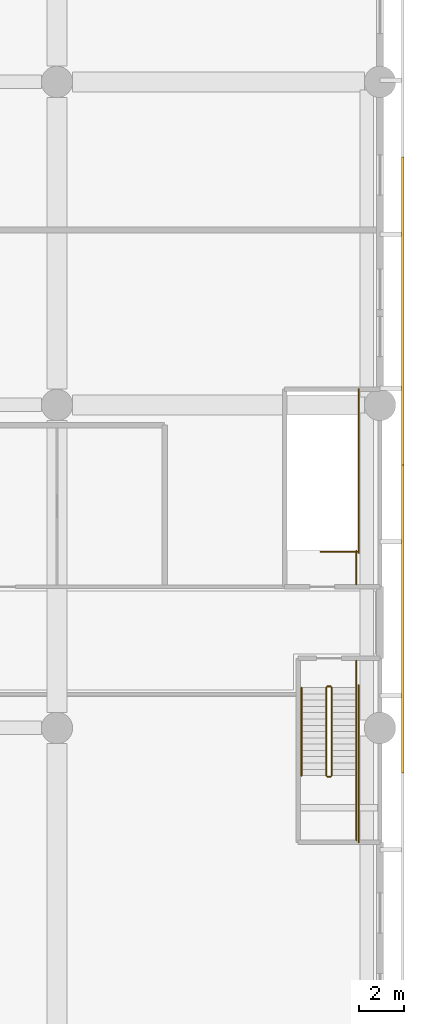
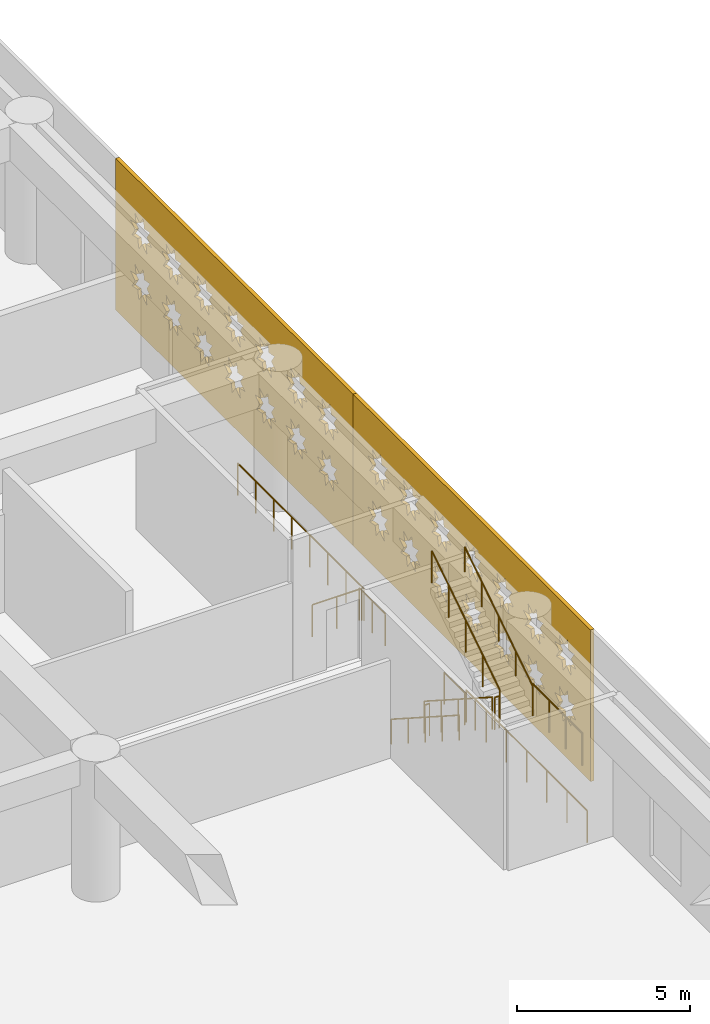
# One storey, part 20 of 24: 12 railings, 2 coverings.
"""IFC4 building model written with IfcOpenShell, lengths in metres."""

from ifc_helpers import new_model, si_unit, direction, frame, origin, origin_2d, place, context, subcontext, project, spatial, polyline, circle, outline, extrude, material, layer, layer_set, type_object, element, save


model = new_model("IFC4")

# Units and contexts
model_context = context("Model", 3, precision=1e-05, world=origin(), true_north=direction((0.0, 1.0)))
body_context = subcontext(model_context, "Body", "Model", "MODEL_VIEW")
ifc_project = project(units=[si_unit("LENGTHUNIT", "METRE"), si_unit("AREAUNIT", "SQUARE_METRE"), si_unit("VOLUMEUNIT", "CUBIC_METRE"), si_unit("PLANEANGLEUNIT", "RADIAN"), si_unit("MASSUNIT", "GRAM", prefix="KILO")], contexts=[model_context])

# Site, building, storey
site_placement = place(None, origin())
site = spatial("IfcSite", under=ifc_project, at=site_placement, CompositionType="ELEMENT")
building_placement = place(site_placement, origin())
building = spatial("IfcBuilding", under=site, at=building_placement, Name="Saffron Iwan Residences", CompositionType="ELEMENT")
storey_placement = place(building_placement, frame((0.0, 0.0, 21.60009765625)))
storey = spatial("IfcBuildingStorey", under=building, at=storey_placement, Name="L04", CompositionType="ELEMENT", Elevation=21.60009765625)

# Coverings
ifc_material_1 = material(Name="Terracotta screen, precast concrete C40/50", Category="masonry")
ifc_layer = layer(ifc_material_1, 0.1201171875)
ifc_layer_set = layer_set([ifc_layer], Name="Terracotta screen, precast concrete C40/50")
covering_type = type_object("IfcCoveringType", Name="PODIUM SCREEN GIRIH", PredefinedType="CLADDING", material=ifc_layer_set)
covering_1_placement = place(storey_placement, frame((101.75, 45.998046875, -0.400146484375), z_axis=(1.0, 0.0, 0.0), x_axis=(0.0, 1.0, 0.0)))
element("IfcCovering", 1, at=covering_1_placement, inside=storey, type_object=covering_type, Name="SCREEN girih terracotta L04 F1.2", PredefinedType="CLADDING", context=body_context, shape_type="SweptSolid", body=[
    extrude(outline(polyline([(0.0, 0.0), (13.72412109375, 0.0), (13.72412109375, 5.35009765625), (0.0, 5.35009765625), (0.0, 0.0)]), holes=[polyline([(2.070068359375, 1.89599609375), (1.74462890625, 1.9638671875), (1.806396484375, 2.29052734375), (1.5283203125, 2.1083984375), (1.341064453125, 2.383056640625), (1.273193359375, 2.0576171875), (0.946533203125, 2.119384765625), (1.12841796875, 1.84130859375), (0.85400390625, 1.654052734375), (1.17919921875, 1.586181640625), (1.117431640625, 1.259521484375), (1.395751953125, 1.44140625), (1.5830078125, 1.1669921875), (1.65087890625, 1.4921875), (1.9775390625, 1.430419921875), (1.79541015625, 1.708740234375), (2.070068359375, 1.89599609375)]), polyline([(2.070068359375, 3.696044921875), (1.74462890625, 3.763916015625), (1.806396484375, 4.090576171875), (1.5283203125, 3.908447265625), (1.341064453125, 4.18310546875), (1.273193359375, 3.857666015625), (0.946533203125, 3.91943359375), (1.12841796875, 3.641357421875), (0.85400390625, 3.4541015625), (1.17919921875, 3.385986328125), (1.117431640625, 3.0595703125), (1.395751953125, 3.241455078125), (1.5830078125, 2.966796875), (1.65087890625, 3.292236328125), (1.9775390625, 3.23046875), (1.79541015625, 3.5087890625), (2.070068359375, 3.696044921875)]), polyline([(3.8701171875, 1.89599609375), (3.544677734375, 1.9638671875), (3.6064453125, 2.29052734375), (3.328369140625, 2.1083984375), (3.14111328125, 2.383056640625), (3.072998046875, 2.0576171875), (2.74658203125, 2.119384765625), (2.928466796875, 1.84130859375), (2.65380859375, 1.654052734375), (2.979248046875, 1.586181640625), (2.91748046875, 1.259521484375), (3.19580078125, 1.44140625), (3.383056640625, 1.1669921875), (3.450927734375, 1.4921875), (3.777587890625, 1.430419921875), (3.595458984375, 1.708740234375), (3.8701171875, 1.89599609375)]), polyline([(3.8701171875, 3.696044921875), (3.544677734375, 3.763916015625), (3.6064453125, 4.090576171875), (3.328369140625, 3.908447265625), (3.14111328125, 4.18310546875), (3.072998046875, 3.857666015625), (2.74658203125, 3.91943359375), (2.928466796875, 3.641357421875), (2.65380859375, 3.4541015625), (2.979248046875, 3.385986328125), (2.91748046875, 3.0595703125), (3.19580078125, 3.241455078125), (3.383056640625, 2.966796875), (3.450927734375, 3.292236328125), (3.777587890625, 3.23046875), (3.595458984375, 3.5087890625), (3.8701171875, 3.696044921875)]), polyline([(5.670166015625, 1.89599609375), (5.3447265625, 1.9638671875), (5.406494140625, 2.29052734375), (5.12841796875, 2.1083984375), (4.94091796875, 2.383056640625), (4.873046875, 2.0576171875), (4.54638671875, 2.119384765625), (4.728515625, 1.84130859375), (4.453857421875, 1.654052734375), (4.779296875, 1.586181640625), (4.717529296875, 1.259521484375), (4.99560546875, 1.44140625), (5.18310546875, 1.1669921875), (5.2509765625, 1.4921875), (5.577392578125, 1.430419921875), (5.3955078125, 1.708740234375), (5.670166015625, 1.89599609375)]), polyline([(5.670166015625, 3.696044921875), (5.3447265625, 3.763916015625), (5.406494140625, 4.090576171875), (5.12841796875, 3.908447265625), (4.94091796875, 4.18310546875), (4.873046875, 3.857666015625), (4.54638671875, 3.91943359375), (4.728515625, 3.641357421875), (4.453857421875, 3.4541015625), (4.779296875, 3.385986328125), (4.717529296875, 3.0595703125), (4.99560546875, 3.241455078125), (5.18310546875, 2.966796875), (5.2509765625, 3.292236328125), (5.577392578125, 3.23046875), (5.3955078125, 3.5087890625), (5.670166015625, 3.696044921875)]), polyline([(7.47021484375, 1.89599609375), (7.144775390625, 1.9638671875), (7.20654296875, 2.29052734375), (6.92822265625, 2.1083984375), (6.740966796875, 2.383056640625), (6.673095703125, 2.0576171875), (6.346435546875, 2.119384765625), (6.528564453125, 1.84130859375), (6.25390625, 1.654052734375), (6.579345703125, 1.586181640625), (6.517578125, 1.259521484375), (6.795654296875, 1.44140625), (6.98291015625, 1.1669921875), (7.05078125, 1.4921875), (7.37744140625, 1.430419921875), (7.195556640625, 1.708740234375), (7.47021484375, 1.89599609375)]), polyline([(7.47021484375, 3.696044921875), (7.144775390625, 3.763916015625), (7.20654296875, 4.090576171875), (6.92822265625, 3.908447265625), (6.740966796875, 4.18310546875), (6.673095703125, 3.857666015625), (6.346435546875, 3.91943359375), (6.528564453125, 3.641357421875), (6.25390625, 3.4541015625), (6.579345703125, 3.385986328125), (6.517578125, 3.0595703125), (6.795654296875, 3.241455078125), (6.98291015625, 2.966796875), (7.05078125, 3.292236328125), (7.37744140625, 3.23046875), (7.195556640625, 3.5087890625), (7.47021484375, 3.696044921875)]), polyline([(9.27001953125, 1.89599609375), (8.944580078125, 1.9638671875), (9.006591796875, 2.29052734375), (8.728271484375, 2.1083984375), (8.541015625, 2.383056640625), (8.47314453125, 2.0576171875), (8.146484375, 2.119384765625), (8.32861328125, 1.84130859375), (8.053955078125, 1.654052734375), (8.37939453125, 1.586181640625), (8.3173828125, 1.259521484375), (8.595703125, 1.44140625), (8.782958984375, 1.1669921875), (8.850830078125, 1.4921875), (9.177490234375, 1.430419921875), (8.99560546875, 1.708740234375), (9.27001953125, 1.89599609375)]), polyline([(9.27001953125, 3.696044921875), (8.944580078125, 3.763916015625), (9.006591796875, 4.090576171875), (8.728271484375, 3.908447265625), (8.541015625, 4.18310546875), (8.47314453125, 3.857666015625), (8.146484375, 3.91943359375), (8.32861328125, 3.641357421875), (8.053955078125, 3.4541015625), (8.37939453125, 3.385986328125), (8.3173828125, 3.0595703125), (8.595703125, 3.241455078125), (8.782958984375, 2.966796875), (8.850830078125, 3.292236328125), (9.177490234375, 3.23046875), (8.99560546875, 3.5087890625), (9.27001953125, 3.696044921875)]), polyline([(11.070068359375, 1.89599609375), (10.74462890625, 1.9638671875), (10.806396484375, 2.29052734375), (10.5283203125, 2.1083984375), (10.341064453125, 2.383056640625), (10.273193359375, 2.0576171875), (9.946533203125, 2.119384765625), (10.12841796875, 1.84130859375), (9.85400390625, 1.654052734375), (10.17919921875, 1.586181640625), (10.117431640625, 1.259521484375), (10.395751953125, 1.44140625), (10.5830078125, 1.1669921875), (10.65087890625, 1.4921875), (10.9775390625, 1.430419921875), (10.79541015625, 1.708740234375), (11.070068359375, 1.89599609375)]), polyline([(11.070068359375, 3.696044921875), (10.74462890625, 3.763916015625), (10.806396484375, 4.090576171875), (10.5283203125, 3.908447265625), (10.341064453125, 4.18310546875), (10.273193359375, 3.857666015625), (9.946533203125, 3.91943359375), (10.12841796875, 3.641357421875), (9.85400390625, 3.4541015625), (10.17919921875, 3.385986328125), (10.117431640625, 3.0595703125), (10.395751953125, 3.241455078125), (10.5830078125, 2.966796875), (10.65087890625, 3.292236328125), (10.9775390625, 3.23046875), (10.79541015625, 3.5087890625), (11.070068359375, 3.696044921875)]), polyline([(12.8701171875, 1.89599609375), (12.544677734375, 1.9638671875), (12.6064453125, 2.29052734375), (12.328369140625, 2.1083984375), (12.14111328125, 2.383056640625), (12.072998046875, 2.0576171875), (11.74658203125, 2.119384765625), (11.928466796875, 1.84130859375), (11.65380859375, 1.654052734375), (11.979248046875, 1.586181640625), (11.91748046875, 1.259521484375), (12.19580078125, 1.44140625), (12.383056640625, 1.1669921875), (12.450927734375, 1.4921875), (12.777587890625, 1.430419921875), (12.595458984375, 1.708740234375), (12.8701171875, 1.89599609375)]), polyline([(12.8701171875, 3.696044921875), (12.544677734375, 3.763916015625), (12.6064453125, 4.090576171875), (12.328369140625, 3.908447265625), (12.14111328125, 4.18310546875), (12.072998046875, 3.857666015625), (11.74658203125, 3.91943359375), (11.928466796875, 3.641357421875), (11.65380859375, 3.4541015625), (11.979248046875, 3.385986328125), (11.91748046875, 3.0595703125), (12.19580078125, 3.241455078125), (12.383056640625, 2.966796875), (12.450927734375, 3.292236328125), (12.777587890625, 3.23046875), (12.595458984375, 3.5087890625), (12.8701171875, 3.696044921875)])]), origin(), (0.0, 0.0, 1.0), 0.1201171875),
])
covering_2_placement = place(storey_placement, frame((101.75, 59.721923828125, -0.400146484375), z_axis=(1.0, 0.0, 0.0), x_axis=(0.0, 1.0, 0.0)))
element("IfcCovering", 2, at=covering_2_placement, inside=storey, type_object=covering_type, Name="SCREEN girih terracotta L04 F1.3", PredefinedType="CLADDING", context=body_context, shape_type="SweptSolid", body=[
    extrude(outline(polyline([(0.0, 0.0), (13.72412109375, 0.0), (13.72412109375, 5.35009765625), (0.0, 5.35009765625), (0.0, 0.0)]), holes=[polyline([(2.070068359375, 1.89599609375), (1.74462890625, 1.9638671875), (1.806396484375, 2.29052734375), (1.5283203125, 2.1083984375), (1.341064453125, 2.383056640625), (1.273193359375, 2.0576171875), (0.946533203125, 2.119384765625), (1.12841796875, 1.84130859375), (0.85400390625, 1.654052734375), (1.17919921875, 1.586181640625), (1.117431640625, 1.259521484375), (1.395751953125, 1.44140625), (1.5830078125, 1.1669921875), (1.65087890625, 1.4921875), (1.9775390625, 1.430419921875), (1.79541015625, 1.708740234375), (2.070068359375, 1.89599609375)]), polyline([(2.070068359375, 3.696044921875), (1.74462890625, 3.763916015625), (1.806396484375, 4.090576171875), (1.5283203125, 3.908447265625), (1.341064453125, 4.18310546875), (1.273193359375, 3.857666015625), (0.946533203125, 3.91943359375), (1.12841796875, 3.641357421875), (0.85400390625, 3.4541015625), (1.17919921875, 3.385986328125), (1.117431640625, 3.0595703125), (1.395751953125, 3.241455078125), (1.5830078125, 2.966796875), (1.65087890625, 3.292236328125), (1.9775390625, 3.23046875), (1.79541015625, 3.5087890625), (2.070068359375, 3.696044921875)]), polyline([(3.8701171875, 1.89599609375), (3.544677734375, 1.9638671875), (3.6064453125, 2.29052734375), (3.328369140625, 2.1083984375), (3.14111328125, 2.383056640625), (3.072998046875, 2.0576171875), (2.74658203125, 2.119384765625), (2.928466796875, 1.84130859375), (2.65380859375, 1.654052734375), (2.979248046875, 1.586181640625), (2.91748046875, 1.259521484375), (3.19580078125, 1.44140625), (3.383056640625, 1.1669921875), (3.450927734375, 1.4921875), (3.777587890625, 1.430419921875), (3.595458984375, 1.708740234375), (3.8701171875, 1.89599609375)]), polyline([(3.8701171875, 3.696044921875), (3.544677734375, 3.763916015625), (3.6064453125, 4.090576171875), (3.328369140625, 3.908447265625), (3.14111328125, 4.18310546875), (3.072998046875, 3.857666015625), (2.74658203125, 3.91943359375), (2.928466796875, 3.641357421875), (2.65380859375, 3.4541015625), (2.979248046875, 3.385986328125), (2.91748046875, 3.0595703125), (3.19580078125, 3.241455078125), (3.383056640625, 2.966796875), (3.450927734375, 3.292236328125), (3.777587890625, 3.23046875), (3.595458984375, 3.5087890625), (3.8701171875, 3.696044921875)]), polyline([(5.670166015625, 1.89599609375), (5.3447265625, 1.9638671875), (5.406494140625, 2.29052734375), (5.12841796875, 2.1083984375), (4.94091796875, 2.383056640625), (4.873046875, 2.0576171875), (4.54638671875, 2.119384765625), (4.728515625, 1.84130859375), (4.453857421875, 1.654052734375), (4.779296875, 1.586181640625), (4.717529296875, 1.259521484375), (4.99560546875, 1.44140625), (5.18310546875, 1.1669921875), (5.2509765625, 1.4921875), (5.577392578125, 1.430419921875), (5.3955078125, 1.708740234375), (5.670166015625, 1.89599609375)]), polyline([(5.670166015625, 3.696044921875), (5.3447265625, 3.763916015625), (5.406494140625, 4.090576171875), (5.12841796875, 3.908447265625), (4.94091796875, 4.18310546875), (4.873046875, 3.857666015625), (4.54638671875, 3.91943359375), (4.728515625, 3.641357421875), (4.453857421875, 3.4541015625), (4.779296875, 3.385986328125), (4.717529296875, 3.0595703125), (4.99560546875, 3.241455078125), (5.18310546875, 2.966796875), (5.2509765625, 3.292236328125), (5.577392578125, 3.23046875), (5.3955078125, 3.5087890625), (5.670166015625, 3.696044921875)]), polyline([(7.47021484375, 1.89599609375), (7.144775390625, 1.9638671875), (7.20654296875, 2.29052734375), (6.92822265625, 2.1083984375), (6.740966796875, 2.383056640625), (6.673095703125, 2.0576171875), (6.346435546875, 2.119384765625), (6.528564453125, 1.84130859375), (6.25390625, 1.654052734375), (6.579345703125, 1.586181640625), (6.517578125, 1.259521484375), (6.795654296875, 1.44140625), (6.98291015625, 1.1669921875), (7.05078125, 1.4921875), (7.37744140625, 1.430419921875), (7.195556640625, 1.708740234375), (7.47021484375, 1.89599609375)]), polyline([(7.47021484375, 3.696044921875), (7.144775390625, 3.763916015625), (7.20654296875, 4.090576171875), (6.92822265625, 3.908447265625), (6.740966796875, 4.18310546875), (6.673095703125, 3.857666015625), (6.346435546875, 3.91943359375), (6.528564453125, 3.641357421875), (6.25390625, 3.4541015625), (6.579345703125, 3.385986328125), (6.517578125, 3.0595703125), (6.795654296875, 3.241455078125), (6.98291015625, 2.966796875), (7.05078125, 3.292236328125), (7.37744140625, 3.23046875), (7.195556640625, 3.5087890625), (7.47021484375, 3.696044921875)]), polyline([(9.27001953125, 1.89599609375), (8.944580078125, 1.9638671875), (9.006591796875, 2.29052734375), (8.728271484375, 2.1083984375), (8.541015625, 2.383056640625), (8.47314453125, 2.0576171875), (8.146484375, 2.119384765625), (8.32861328125, 1.84130859375), (8.053955078125, 1.654052734375), (8.37939453125, 1.586181640625), (8.3173828125, 1.259521484375), (8.595703125, 1.44140625), (8.782958984375, 1.1669921875), (8.850830078125, 1.4921875), (9.177490234375, 1.430419921875), (8.99560546875, 1.708740234375), (9.27001953125, 1.89599609375)]), polyline([(9.27001953125, 3.696044921875), (8.944580078125, 3.763916015625), (9.006591796875, 4.090576171875), (8.728271484375, 3.908447265625), (8.541015625, 4.18310546875), (8.47314453125, 3.857666015625), (8.146484375, 3.91943359375), (8.32861328125, 3.641357421875), (8.053955078125, 3.4541015625), (8.37939453125, 3.385986328125), (8.3173828125, 3.0595703125), (8.595703125, 3.241455078125), (8.782958984375, 2.966796875), (8.850830078125, 3.292236328125), (9.177490234375, 3.23046875), (8.99560546875, 3.5087890625), (9.27001953125, 3.696044921875)]), polyline([(11.070068359375, 1.89599609375), (10.74462890625, 1.9638671875), (10.806396484375, 2.29052734375), (10.5283203125, 2.1083984375), (10.341064453125, 2.383056640625), (10.273193359375, 2.0576171875), (9.946533203125, 2.119384765625), (10.12841796875, 1.84130859375), (9.85400390625, 1.654052734375), (10.17919921875, 1.586181640625), (10.117431640625, 1.259521484375), (10.395751953125, 1.44140625), (10.5830078125, 1.1669921875), (10.65087890625, 1.4921875), (10.9775390625, 1.430419921875), (10.79541015625, 1.708740234375), (11.070068359375, 1.89599609375)]), polyline([(11.070068359375, 3.696044921875), (10.74462890625, 3.763916015625), (10.806396484375, 4.090576171875), (10.5283203125, 3.908447265625), (10.341064453125, 4.18310546875), (10.273193359375, 3.857666015625), (9.946533203125, 3.91943359375), (10.12841796875, 3.641357421875), (9.85400390625, 3.4541015625), (10.17919921875, 3.385986328125), (10.117431640625, 3.0595703125), (10.395751953125, 3.241455078125), (10.5830078125, 2.966796875), (10.65087890625, 3.292236328125), (10.9775390625, 3.23046875), (10.79541015625, 3.5087890625), (11.070068359375, 3.696044921875)]), polyline([(12.8701171875, 1.89599609375), (12.544677734375, 1.9638671875), (12.6064453125, 2.29052734375), (12.328369140625, 2.1083984375), (12.14111328125, 2.383056640625), (12.072998046875, 2.0576171875), (11.74658203125, 2.119384765625), (11.928466796875, 1.84130859375), (11.65380859375, 1.654052734375), (11.979248046875, 1.586181640625), (11.91748046875, 1.259521484375), (12.19580078125, 1.44140625), (12.383056640625, 1.1669921875), (12.450927734375, 1.4921875), (12.777587890625, 1.430419921875), (12.595458984375, 1.708740234375), (12.8701171875, 1.89599609375)]), polyline([(12.8701171875, 3.696044921875), (12.544677734375, 3.763916015625), (12.6064453125, 4.090576171875), (12.328369140625, 3.908447265625), (12.14111328125, 4.18310546875), (12.072998046875, 3.857666015625), (11.74658203125, 3.91943359375), (11.928466796875, 3.641357421875), (11.65380859375, 3.4541015625), (11.979248046875, 3.385986328125), (11.91748046875, 3.0595703125), (12.19580078125, 3.241455078125), (12.383056640625, 2.966796875), (12.450927734375, 3.292236328125), (12.777587890625, 3.23046875), (12.595458984375, 3.5087890625), (12.8701171875, 3.696044921875)])]), origin(), (0.0, 0.0, 1.0), 0.1201171875),
])

# Railings
ifc_material_2 = material(Name="Steel S355", Category="steel")
railing_type_1 = type_object("IfcRailingType", Name="Podium stair guard 1150", PredefinedType="GUARDRAIL", material=ifc_material_2)
railing_1_placement = place(storey_placement, frame((98.39990234375, 49.800048828125, 0.179931640625)))
element("IfcRailing", 3, at=railing_1_placement, inside=storey, type_object=railing_type_1, Name="L04 PS2 stair guard 1", PredefinedType="GUARDRAIL", context=body_context, shape_type="SweptSolid", body=[
    extrude(circle(Radius=0.02392578125, at=origin_2d()), frame((0.0, 0.0, 1.1259765625), z_axis=(0.0, -0.841186985886, 0.540744352514), x_axis=(1.0, 0.0, 0.0)), (0.0, 0.0, 1.0), 4.660400390625),
    extrude(circle(Radius=0.02099609375, at=origin_2d()), origin(), (0.0, 0.0, 1.0), 1.101806640625),
    extrude(circle(Radius=0.02099609375, at=origin_2d()), frame((0.0, -0.97998046875, 0.6298828125)), (0.0, 0.0, 1.0), 1.101806640625),
    extrude(circle(Radius=0.02099609375, at=origin_2d()), frame((0.0, -1.9599609375, 1.260009765625)), (0.0, 0.0, 1.0), 1.101806640625),
    extrude(circle(Radius=0.02099609375, at=origin_2d()), frame((0.0, -2.940185546875, 1.89013671875)), (0.0, 0.0, 1.0), 1.101806640625),
    extrude(circle(Radius=0.02099609375, at=origin_2d()), frame((0.0, -3.920166015625, 2.52001953125)), (0.0, 0.0, 1.0), 1.101806640625),
])
railing_2_placement = place(storey_placement, frame((98.449951171875, 45.830078125, 2.699951171875)))
element("IfcRailing", 4, at=railing_2_placement, inside=storey, type_object=railing_type_1, Name="L04 PS2 stair guard 2", PredefinedType="GUARDRAIL", context=body_context, shape_type="SweptSolid", body=[
    extrude(circle(Radius=0.02392578125, at=origin_2d()), frame((0.0, 0.0, 1.1259765625), z_axis=(1.0, 0.0, 0.0), x_axis=(0.0, 1.0, 0.0)), (0.0, 0.0, 1.0), 0.150146484375),
    extrude(circle(Radius=0.02099609375, at=origin_2d()), origin(), (0.0, 0.0, 1.0), 1.101806640625),
    extrude(circle(Radius=0.02099609375, at=origin_2d()), frame((0.150146484375, 0.0, 0.0)), (0.0, 0.0, 1.0), 1.101806640625),
])
railing_3_placement = place(storey_placement, frame((99.75, 45.8798828125, 2.699951171875)))
element("IfcRailing", 5, at=railing_3_placement, inside=storey, type_object=railing_type_1, Name="L04 PS2 stair guard 3", PredefinedType="GUARDRAIL", context=body_context, shape_type="SweptSolid", body=[
    extrude(circle(Radius=0.02392578125, at=origin_2d()), frame((0.0, 0.0, 1.1259765625), z_axis=(0.0, -1.0, 0.0), x_axis=(1.0, 0.0, 0.0)), (0.0, 0.0, 1.0), 2.8798828125),
    extrude(circle(Radius=0.02099609375, at=origin_2d()), origin(), (0.0, 0.0, 1.0), 1.101806640625),
    extrude(circle(Radius=0.02099609375, at=origin_2d()), frame((0.0, -0.9599609375, 0.0)), (0.0, 0.0, 1.0), 1.101806640625),
    extrude(circle(Radius=0.02099609375, at=origin_2d()), frame((0.0, -1.919921875, 0.0)), (0.0, 0.0, 1.0), 1.101806640625),
    extrude(circle(Radius=0.02099609375, at=origin_2d()), frame((0.0, -2.8798828125, 0.0)), (0.0, 0.0, 1.0), 1.101806640625),
])
railing_4_placement = place(storey_placement, frame((98.64990234375, 45.8798828125, 2.8798828125)))
element("IfcRailing", 6, at=railing_4_placement, inside=storey, type_object=railing_type_1, Name="L04 PS2 stair guard 4", PredefinedType="GUARDRAIL", context=body_context, shape_type="SweptSolid", body=[
    extrude(circle(Radius=0.02392578125, at=origin_2d()), frame((0.0, 0.0, 1.1259765625), z_axis=(0.0, 0.841186985886, 0.540744352514), x_axis=(-1.0, 0.0, 0.0)), (0.0, 0.0, 1.0), 4.660400390625),
    extrude(circle(Radius=0.02099609375, at=origin_2d()), origin(), (0.0, 0.0, 1.0), 1.101806640625),
    extrude(circle(Radius=0.02099609375, at=origin_2d()), frame((0.0, 0.97998046875, 0.6298828125)), (0.0, 0.0, 1.0), 1.101806640625),
    extrude(circle(Radius=0.02099609375, at=origin_2d()), frame((0.0, 1.9599609375, 1.260009765625)), (0.0, 0.0, 1.0), 1.101806640625),
    extrude(circle(Radius=0.02099609375, at=origin_2d()), frame((0.0, 2.940185546875, 1.89013671875)), (0.0, 0.0, 1.0), 1.101806640625),
    extrude(circle(Radius=0.02099609375, at=origin_2d()), frame((0.0, 3.920166015625, 2.52001953125)), (0.0, 0.0, 1.0), 1.101806640625),
])
railing_5_placement = place(storey_placement, frame((98.449951171875, 49.85009765625, 0.0)))
element("IfcRailing", 7, at=railing_5_placement, inside=storey, type_object=railing_type_1, Name="L04 PS2 stair guard 5", PredefinedType="GUARDRAIL", context=body_context, shape_type="SweptSolid", body=[
    extrude(circle(Radius=0.02392578125, at=origin_2d()), frame((0.0, 0.0, 1.1259765625), z_axis=(1.0, 0.0, 0.0), x_axis=(0.0, 1.0, 0.0)), (0.0, 0.0, 1.0), 0.150146484375),
    extrude(circle(Radius=0.02099609375, at=origin_2d()), origin(), (0.0, 0.0, 1.0), 1.101806640625),
    extrude(circle(Radius=0.02099609375, at=origin_2d()), frame((0.150146484375, 0.0, 0.0)), (0.0, 0.0, 1.0), 1.101806640625),
])
railing_6_placement = place(storey_placement, frame((99.75, 51.0, 0.0)))
element("IfcRailing", 8, at=railing_6_placement, inside=storey, type_object=railing_type_1, Name="L04 PS2 stair guard 6", PredefinedType="GUARDRAIL", context=body_context, shape_type="SweptSolid", body=[
    extrude(circle(Radius=0.02392578125, at=origin_2d()), frame((0.0, 0.0, 1.1259765625), z_axis=(0.0, -1.0, 0.0), x_axis=(1.0, 0.0, 0.0)), (0.0, 0.0, 1.0), 1.199951171875),
    extrude(circle(Radius=0.02099609375, at=origin_2d()), origin(), (0.0, 0.0, 1.0), 1.101806640625),
    extrude(circle(Radius=0.02099609375, at=origin_2d()), frame((0.0, -1.199951171875, 0.0)), (0.0, 0.0, 1.0), 1.101806640625),
])
railing_7_placement = place(storey_placement, frame((99.85009765625, 49.89990234375, 0.0)))
element("IfcRailing", 9, at=railing_7_placement, inside=storey, type_object=railing_type_1, Name="L04 PS2 stair guard 7", PredefinedType="GUARDRAIL", context=body_context, shape_type="SweptSolid", body=[
    extrude(circle(Radius=0.02392578125, at=origin_2d()), frame((0.0, 0.0, 1.1259765625), z_axis=(0.0, -1.0, 0.0), x_axis=(1.0, 0.0, 0.0)), (0.0, 0.0, 1.0), 7.0),
    extrude(circle(Radius=0.02099609375, at=origin_2d()), origin(), (0.0, 0.0, 1.0), 1.101806640625),
    extrude(circle(Radius=0.02099609375, at=origin_2d()), frame((0.0, -1.166748046875, 0.0)), (0.0, 0.0, 1.0), 1.101806640625),
    extrude(circle(Radius=0.02099609375, at=origin_2d()), frame((0.0, -2.333251953125, 0.0)), (0.0, 0.0, 1.0), 1.101806640625),
    extrude(circle(Radius=0.02099609375, at=origin_2d()), frame((0.0, -3.5, 0.0)), (0.0, 0.0, 1.0), 1.101806640625),
    extrude(circle(Radius=0.02099609375, at=origin_2d()), frame((0.0, -4.666748046875, 0.0)), (0.0, 0.0, 1.0), 1.101806640625),
    extrude(circle(Radius=0.02099609375, at=origin_2d()), frame((0.0, -5.833251953125, 0.0)), (0.0, 0.0, 1.0), 1.101806640625),
    extrude(circle(Radius=0.02099609375, at=origin_2d()), frame((0.0, -7.0, 0.0)), (0.0, 0.0, 1.0), 1.101806640625),
])
railing_8_placement = place(storey_placement, frame((99.800048828125, 55.85009765625, 0.0)))
element("IfcRailing", 10, at=railing_8_placement, inside=storey, type_object=railing_type_1, Name="L04 PS4 top well guard 1", PredefinedType="GUARDRAIL", context=body_context, shape_type="SweptSolid", body=[
    extrude(circle(Radius=0.02392578125, at=origin_2d()), frame((0.0, 0.0, 1.1259765625), z_axis=(-1.0, 0.0, 0.0), x_axis=(0.0, -1.0, 0.0)), (0.0, 0.0, 1.0), 1.650146484375),
    extrude(circle(Radius=0.02099609375, at=origin_2d()), origin(), (0.0, 0.0, 1.0), 1.101806640625),
    extrude(circle(Radius=0.02099609375, at=origin_2d()), frame((-0.8251953125, 0.0, 0.0)), (0.0, 0.0, 1.0), 1.101806640625),
    extrude(circle(Radius=0.02099609375, at=origin_2d()), frame((-1.650146484375, 0.0, 0.0)), (0.0, 0.0, 1.0), 1.101806640625),
])
railing_9_placement = place(storey_placement, frame((99.85009765625, 55.800048828125, 0.0)))
element("IfcRailing", 11, at=railing_9_placement, inside=storey, type_object=railing_type_1, Name="L04 PS4 top well guard 2", PredefinedType="GUARDRAIL", context=body_context, shape_type="SweptSolid", body=[
    extrude(circle(Radius=0.02392578125, at=origin_2d()), frame((0.0, 0.0, 1.1259765625), z_axis=(0.0, 1.0, 0.0), x_axis=(-1.0, 0.0, 0.0)), (0.0, 0.0, 1.0), 7.300048828125),
    extrude(circle(Radius=0.02099609375, at=origin_2d()), origin(), (0.0, 0.0, 1.0), 1.101806640625),
    extrude(circle(Radius=0.02099609375, at=origin_2d()), frame((0.0, 1.04296875, 0.0)), (0.0, 0.0, 1.0), 1.101806640625),
    extrude(circle(Radius=0.02099609375, at=origin_2d()), frame((0.0, 2.085693359375, 0.0)), (0.0, 0.0, 1.0), 1.101806640625),
    extrude(circle(Radius=0.02099609375, at=origin_2d()), frame((0.0, 3.128662109375, 0.0)), (0.0, 0.0, 1.0), 1.101806640625),
    extrude(circle(Radius=0.02099609375, at=origin_2d()), frame((0.0, 4.17138671875, 0.0)), (0.0, 0.0, 1.0), 1.101806640625),
    extrude(circle(Radius=0.02099609375, at=origin_2d()), frame((0.0, 5.21435546875, 0.0)), (0.0, 0.0, 1.0), 1.101806640625),
    extrude(circle(Radius=0.02099609375, at=origin_2d()), frame((0.0, 6.257080078125, 0.0)), (0.0, 0.0, 1.0), 1.101806640625),
    extrude(circle(Radius=0.02099609375, at=origin_2d()), frame((0.0, 7.300048828125, 0.0)), (0.0, 0.0, 1.0), 1.101806640625),
])
railing_10_placement = place(storey_placement, frame((99.75, 54.39990234375, 0.0)))
element("IfcRailing", 12, at=railing_10_placement, inside=storey, type_object=railing_type_1, Name="L04 PS4 top well guard 3", PredefinedType="GUARDRAIL", context=body_context, shape_type="SweptSolid", body=[
    extrude(circle(Radius=0.02392578125, at=origin_2d()), frame((0.0, 0.0, 1.1259765625), z_axis=(0.0, 1.0, 0.0), x_axis=(-1.0, 0.0, 0.0)), (0.0, 0.0, 1.0), 1.5),
    extrude(circle(Radius=0.02099609375, at=origin_2d()), origin(), (0.0, 0.0, 1.0), 1.101806640625),
    extrude(circle(Radius=0.02099609375, at=origin_2d()), frame((0.0, 0.75, 0.0)), (0.0, 0.0, 1.0), 1.101806640625),
    extrude(circle(Radius=0.02099609375, at=origin_2d()), frame((0.0, 1.5, 0.0)), (0.0, 0.0, 1.0), 1.101806640625),
])
railing_type_2 = type_object("IfcRailingType", Name="Podium stair handrail 900", PredefinedType="HANDRAIL", material=ifc_material_2)
railing_11_placement = place(storey_placement, frame((97.300048828125, 49.800048828125, 0.179931640625)))
element("IfcRailing", 13, at=railing_11_placement, inside=storey, type_object=railing_type_2, Name="L04 PS2 stair handrail 1", PredefinedType="HANDRAIL", context=body_context, shape_type="SweptSolid", body=[
    extrude(circle(Radius=0.02392578125, at=origin_2d()), frame((0.0, 0.0, 0.8759765625), z_axis=(0.0, -0.841186985886, 0.540744352514), x_axis=(1.0, 0.0, 0.0)), (0.0, 0.0, 1.0), 4.660400390625),
    extrude(circle(Radius=0.02099609375, at=origin_2d()), origin(), (0.0, 0.0, 1.0), 0.851806640625),
    extrude(circle(Radius=0.02099609375, at=origin_2d()), frame((0.0, -0.97998046875, 0.6298828125)), (0.0, 0.0, 1.0), 0.851806640625),
    extrude(circle(Radius=0.02099609375, at=origin_2d()), frame((0.0, -1.9599609375, 1.260009765625)), (0.0, 0.0, 1.0), 0.851806640625),
    extrude(circle(Radius=0.02099609375, at=origin_2d()), frame((0.0, -2.940185546875, 1.89013671875)), (0.0, 0.0, 1.0), 0.851806640625),
    extrude(circle(Radius=0.02099609375, at=origin_2d()), frame((0.0, -3.920166015625, 2.52001953125)), (0.0, 0.0, 1.0), 0.851806640625),
])
railing_12_placement = place(storey_placement, frame((99.75, 45.8798828125, 2.8798828125)))
element("IfcRailing", 14, at=railing_12_placement, inside=storey, type_object=railing_type_2, Name="L04 PS2 stair handrail 2", PredefinedType="HANDRAIL", context=body_context, shape_type="SweptSolid", body=[
    extrude(circle(Radius=0.02392578125, at=origin_2d()), frame((0.0, 0.0, 0.8759765625), z_axis=(0.0, 0.841186985886, 0.540744352514), x_axis=(-1.0, 0.0, 0.0)), (0.0, 0.0, 1.0), 4.660400390625),
    extrude(circle(Radius=0.02099609375, at=origin_2d()), origin(), (0.0, 0.0, 1.0), 0.851806640625),
    extrude(circle(Radius=0.02099609375, at=origin_2d()), frame((0.0, 0.97998046875, 0.6298828125)), (0.0, 0.0, 1.0), 0.851806640625),
    extrude(circle(Radius=0.02099609375, at=origin_2d()), frame((0.0, 1.9599609375, 1.260009765625)), (0.0, 0.0, 1.0), 0.851806640625),
    extrude(circle(Radius=0.02099609375, at=origin_2d()), frame((0.0, 2.940185546875, 1.89013671875)), (0.0, 0.0, 1.0), 0.851806640625),
    extrude(circle(Radius=0.02099609375, at=origin_2d()), frame((0.0, 3.920166015625, 2.52001953125)), (0.0, 0.0, 1.0), 0.851806640625),
])

save(model, "model.ifc")
